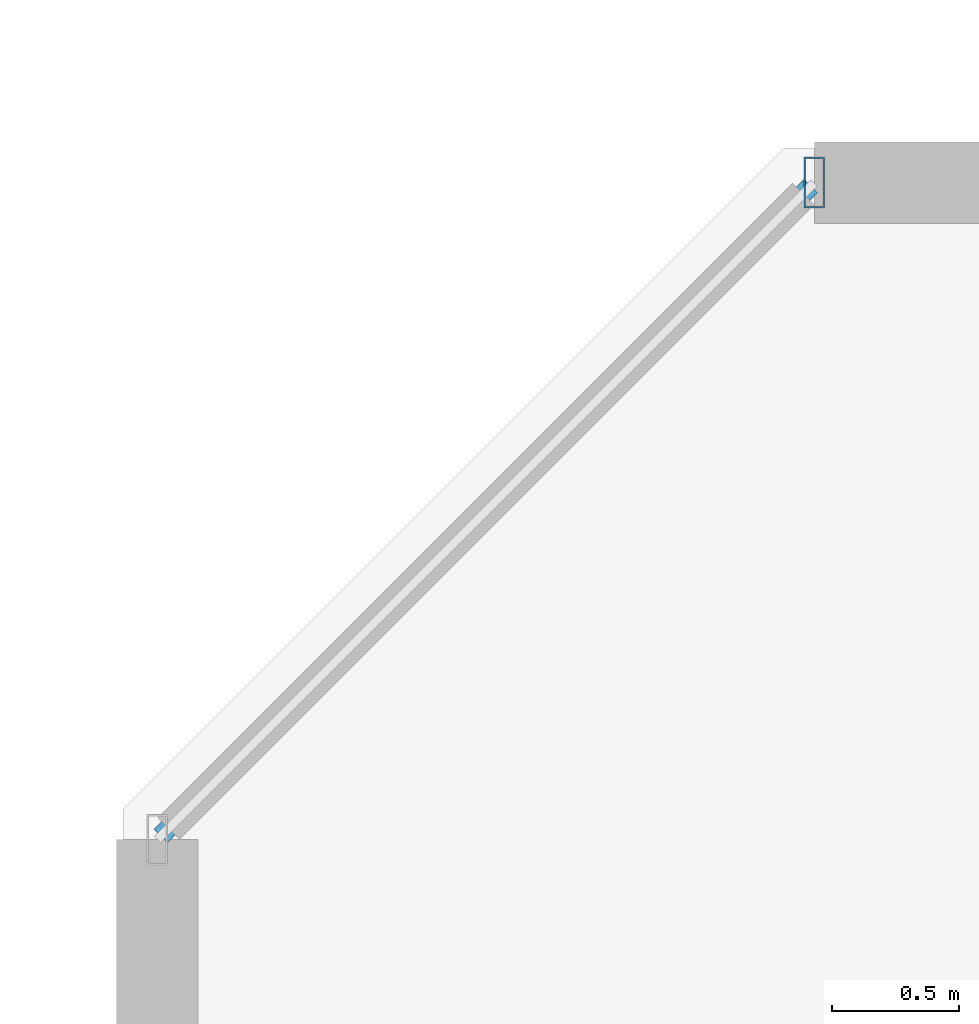
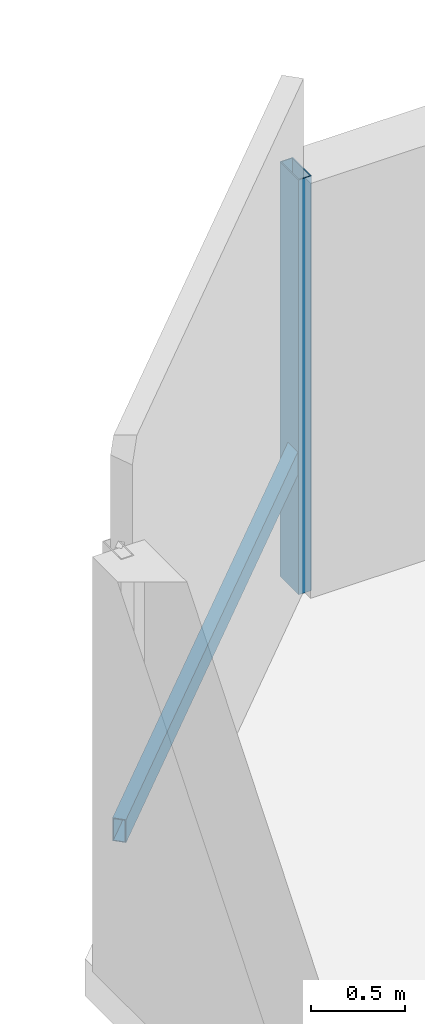
# One storey, part 11 of 32: 2 members, 1 element without a shape of its own.
"""IFC4 building model written with IfcOpenShell, lengths in metres."""

from ifc_helpers import new_model, si_unit, direction, frame, origin, origin_2d, place, context, subcontext, project, spatial, hollow_rectangle, extrude, material, material_profile, profile_set, type_object, element, aggregate, save


model = new_model("IFC4")

# Units and contexts
model_context = context("Model", 3, precision=1e-05, world=origin(), true_north=direction((0.0, 1.0)))
body_context = subcontext(model_context, "Body", "Model", "MODEL_VIEW")
ifc_project = project(units=[si_unit("LENGTHUNIT", "METRE"), si_unit("AREAUNIT", "SQUARE_METRE"), si_unit("VOLUMEUNIT", "CUBIC_METRE"), si_unit("PLANEANGLEUNIT", "RADIAN"), si_unit("MASSUNIT", "GRAM", prefix="KILO")], contexts=[model_context])

# Site, building, storey
site_placement = place(None, origin())
site = spatial("IfcSite", under=ifc_project, at=site_placement, CompositionType="ELEMENT")
building_placement = place(site_placement, origin())
building = spatial("IfcBuilding", under=site, at=building_placement, Name="Thornwick Lancets Civic Towers", CompositionType="ELEMENT")
storey_placement = place(building_placement, frame((0.0, 0.0, 178.5)))
storey = spatial("IfcBuildingStorey", under=building, at=storey_placement, Name="L47", CompositionType="ELEMENT", Elevation=178.5)

# Curtain wall, members
ifc_material_1 = material(Name="Mid-zone chamfered-corner unitised glass curtain wall", Category="glass")
curtain_wall_type = type_object("IfcCurtainWallType", Name="CW_SYS_04", PredefinedType="NOTDEFINED", material=ifc_material_1)
curtain_wall_placement = place(storey_placement, origin())
curtain_wall = element("IfcCurtainWall", 1, at=curtain_wall_placement, inside=storey, type_object=curtain_wall_type, Name="L47 Curtain Wall CW-L47-B-E5", PredefinedType="NOTDEFINED")
ifc_material_2 = material(Name="Thermally broken bronze aluminium S355", Category="steel")
ifc_material_profile_1 = material_profile(ifc_material_2, hollow_rectangle(XDim=0.080078125, YDim=0.199951171875, WallThickness=0.006103515625, at=origin_2d()), Name="RHS 200x80x6")
ifc_profile_set_1 = profile_set([ifc_material_profile_1], Name="Thermally broken bronze aluminium S355")
member_type_1 = type_object("IfcMemberType", Name="CW_MUL_200", PredefinedType="MULLION", material=ifc_profile_set_1)
member_1_placement = place(storey_placement, frame((67.318603515625, 50.7646484375, 0.0), z_axis=(0.0, 0.0, 1.0), x_axis=(1.0, 0.0, 0.0)))
member_1 = element("IfcMember", 2, at=member_1_placement, type_object=member_type_1, Name="CW-L47-B-E5 Mullion 0", PredefinedType="MULLION", context=body_context, shape_type="SweptSolid", body=[
    extrude(hollow_rectangle(XDim=0.080078125, YDim=0.199951171875, WallThickness=0.006103515625, at=origin_2d()), origin(), (0.0, 0.0, 1.0), 2.699951171875),
])
ifc_material_profile_2 = material_profile(ifc_material_2, hollow_rectangle(XDim=0.074951171875, YDim=0.14990234375, WallThickness=0.0048828125, at=origin_2d()), Name="RHS 150x75x5")
ifc_profile_set_2 = profile_set([ifc_material_profile_2], Name="Thermally broken bronze aluminium S355")
member_type_2 = type_object("IfcMemberType", Name="CW_TRN_150", PredefinedType="USERDEFINED", material=ifc_profile_set_2)
member_2_placement = place(storey_placement, frame((67.304443359375, 50.75048828125, 0.85009765625), z_axis=(-0.707106781187, -0.707106781187, 0.0), x_axis=(0.707106781187, -0.707106781187, 0.0)))
member_2 = element("IfcMember", 3, at=member_2_placement, type_object=member_type_2, Name="CW-L47-B-E5 Transom 0", ObjectType="TRANSOM", PredefinedType="USERDEFINED", context=body_context, shape_type="SweptSolid", body=[
    extrude(hollow_rectangle(XDim=0.074951171875, YDim=0.14990234375, WallThickness=0.0048828125, at=origin_2d()), origin(), (0.0, 0.0, 1.0), 3.61328125),
])
aggregate(curtain_wall, [member_1, member_2])

save(model, "model.ifc")
